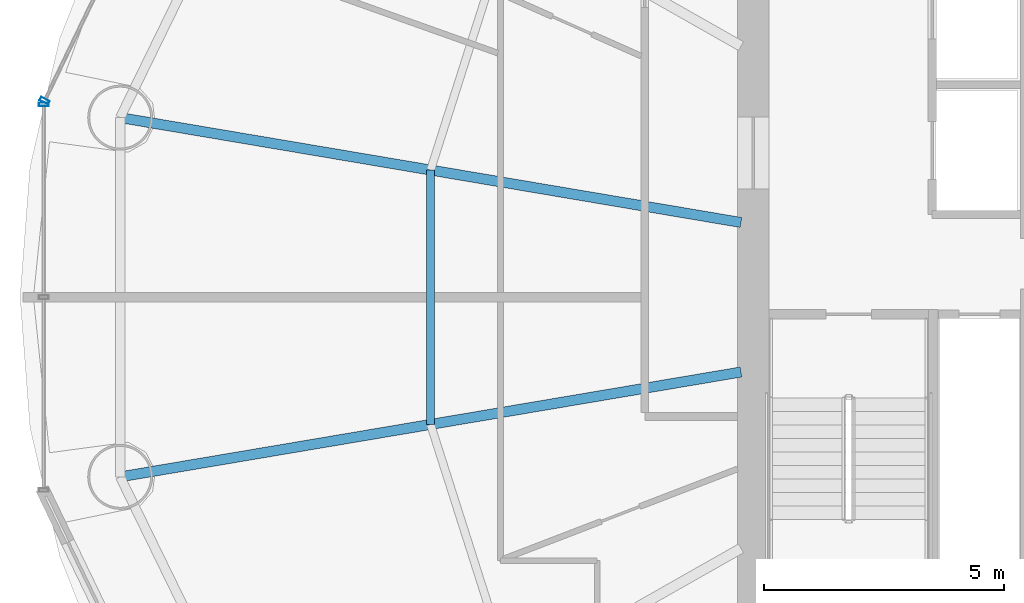
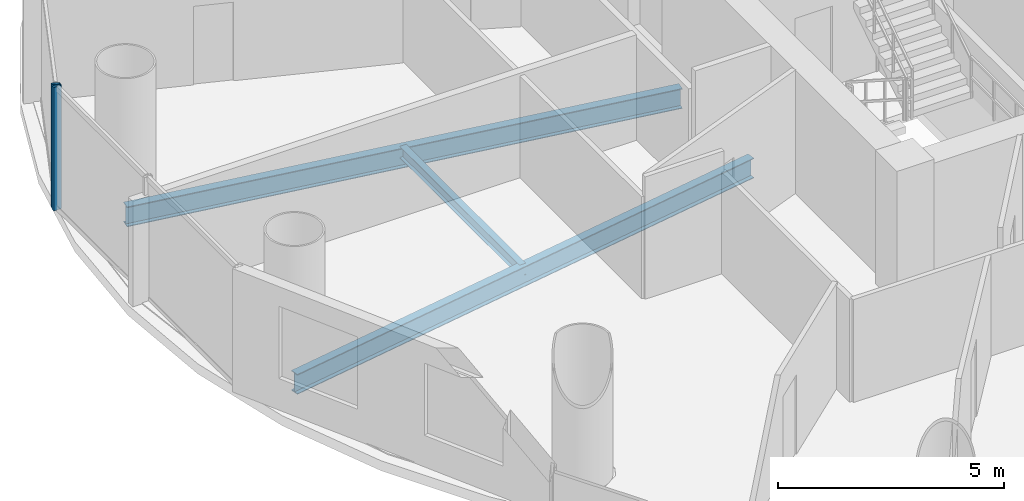
# One storey, part 7 of 26: 3 beams, 2 members, 2 elements without a shape of their own.
"""IFC4 building model written with IfcOpenShell, lengths in metres."""

from ifc_helpers import new_model, si_unit, direction, frame, origin, origin_2d, place, context, subcontext, project, spatial, hollow_rectangle, i_section, extrude, source, transform, mapped, material, material_profile, profile_set, type_object, element, aggregate, save


model = new_model("IFC4")

# Units and contexts
model_context = context("Model", 3, precision=1e-05, world=origin(), true_north=direction((-0.2419218956, 0.970295726276)))
body_context = subcontext(model_context, "Body", "Model", "MODEL_VIEW")
ifc_project = project(units=[si_unit("LENGTHUNIT", "METRE"), si_unit("AREAUNIT", "SQUARE_METRE"), si_unit("VOLUMEUNIT", "CUBIC_METRE"), si_unit("PLANEANGLEUNIT", "RADIAN"), si_unit("MASSUNIT", "GRAM", prefix="KILO")], contexts=[model_context])

# Site, building, storey
site_placement = place(None, origin())
site = spatial("IfcSite", under=ifc_project, at=site_placement, CompositionType="ELEMENT")
building_placement = place(site_placement, origin())
building = spatial("IfcBuilding", under=site, at=building_placement, Name="Cobrevalo Terracotta Tower", CompositionType="ELEMENT")
storey_placement = place(building_placement, frame((0.0, 0.0, 178.60009765625)))
storey = spatial("IfcBuildingStorey", under=building, at=storey_placement, Name="L47", CompositionType="ELEMENT", Elevation=178.60009765625)

# Beams
ifc_material_1 = material(Name="Steel S355", Category="steel")
ifc_material_profile_1 = material_profile(ifc_material_1, i_section(OverallWidth=0.2109375, OverallDepth=0.5390625, WebThickness=0.01171875, FlangeThickness=0.018798828125, at=origin_2d()), Name="W 530x109")
ifc_profile_set_1 = profile_set([ifc_material_profile_1], Name="Steel S355")
beam_type_1 = type_object("IfcBeamType", Name="Structural Beam W 530x109 (Steel S355)", PredefinedType="BEAM", material=ifc_profile_set_1)
for number, where, z_axis, x_axis, name in (
    (1, (15.88330078125, 30.535888671875, -0.53955078125), (0.986032794282, -0.166551279191, 0.0), (0.166551279191, 0.986032794282, 0.0), "L47 radial floor girder 08"),
    (2, (15.88330078125, 23.06396484375, -0.53955078125), (0.986029732232, 0.166569406417, 0.0), (-0.166569406417, 0.986029732232, 0.0), "L47 radial floor girder 09"),
):
    element("IfcBeam", number, at=place(storey_placement, frame(where, z_axis=z_axis, x_axis=x_axis)), inside=storey, type_object=beam_type_1, Name=name, PredefinedType="BEAM", context=body_context, shape_type="SweptSolid", body=[
        extrude(i_section(OverallWidth=0.2109375, OverallDepth=0.5390625, WebThickness=0.01171875, FlangeThickness=0.018798828125, at=origin_2d()), origin(), (0.0, 0.0, 1.0), 13.094482421875),
    ])
ifc_material_profile_2 = material_profile(ifc_material_1, i_section(OverallWidth=0.1650390625, OverallDepth=0.31005859375, WebThickness=0.005859375, FlangeThickness=0.009765625, at=origin_2d()), Name="W 310x38.7")
ifc_profile_set_2 = profile_set([ifc_material_profile_2], Name="Steel S355")
beam_type_2 = type_object("IfcBeamType", Name="Structural Joist W 310x38.7 (Steel S355)", PredefinedType="JOIST", material=ifc_profile_set_2)
beam_placement = place(storey_placement, frame((22.339111328125, 29.445556640625, -0.425048828125), z_axis=(0.0, -1.0, 0.0), x_axis=(1.0, 0.0, 0.0)))
element("IfcBeam", 3, at=beam_placement, inside=storey, type_object=beam_type_2, Name="L47 circumferential secondary floor joist 08", PredefinedType="JOIST", context=body_context, shape_type="SweptSolid", body=[
    extrude(i_section(OverallWidth=0.1650390625, OverallDepth=0.31005859375, WebThickness=0.005859375, FlangeThickness=0.009765625, at=origin_2d()), origin(), (0.0, 0.0, 1.0), 5.291015625),
])

# Curtain wall, member
ifc_material_2 = material(Name="Anodized aluminium", Category="aluminium")
curtain_wall_type = type_object("IfcCurtainWallType", Name="Mid-tower high-wind unitised curtain wall CW-U2", PredefinedType="NOTDEFINED", material=ifc_material_2)
curtain_wall_1_placement = place(storey_placement, origin())
curtain_wall_1 = element("IfcCurtainWall", 4, at=curtain_wall_1_placement, inside=storey, type_object=curtain_wall_type, Name="L47 curtain wall CW-L47-S07", PredefinedType="NOTDEFINED")
ifc_material_profile_3 = material_profile(ifc_material_2, hollow_rectangle(XDim=0.074951171875, YDim=0.199951171875, WallThickness=0.0048828125, at=origin_2d()), Name="CWM 75x200")
ifc_profile_set_3 = profile_set([ifc_material_profile_3], Name="Anodized aluminium")
member_type = type_object("IfcMemberType", Name="Lower/mid tower unitised mullion 75x200", PredefinedType="MULLION", material=ifc_profile_set_3)
shared_shape = source(origin(), body_context, "Body", "SweptSolid", [
    extrude(hollow_rectangle(XDim=0.074951171875, YDim=0.199951171875, WallThickness=0.0048828125, at=origin_2d()), origin(), (0.0, 0.0, 1.0), 3.329833984375),
])
member_1_placement = place(storey_placement, frame((14.311767578125, 30.887939453125, 0.0), z_axis=(0.0, 0.0, 1.0), x_axis=(-0.434209440271, -0.900811945957, 0.0)))
member_1 = element("IfcMember", 5, at=member_1_placement, type_object=member_type, Name="CW-L47-S07 vertical mullion 03", PredefinedType="MULLION", context=body_context, shape_type="MappedRepresentation", body=[
    mapped(shared_shape, transform((0.0, 0.0, 0.0), scale=1.0)),
])
aggregate(curtain_wall_1, [member_1])

curtain_wall_2_placement = place(storey_placement, origin())
curtain_wall_2 = element("IfcCurtainWall", 6, at=curtain_wall_2_placement, inside=storey, type_object=curtain_wall_type, Name="L47 curtain wall CW-L47-S08", PredefinedType="NOTDEFINED")
member_2_placement = place(storey_placement, frame((14.29443359375, 30.81201171875, 0.0), z_axis=(0.0, 0.0, 1.0), x_axis=(0.0, -1.0, 0.0)))
member_2 = element("IfcMember", 7, at=member_2_placement, type_object=member_type, Name="CW-L47-S08 vertical mullion 01", PredefinedType="MULLION", context=body_context, shape_type="MappedRepresentation", body=[
    mapped(shared_shape, transform((0.0, 0.0, 0.0), scale=1.0)),
])
aggregate(curtain_wall_2, [member_2])

save(model, "model.ifc")
